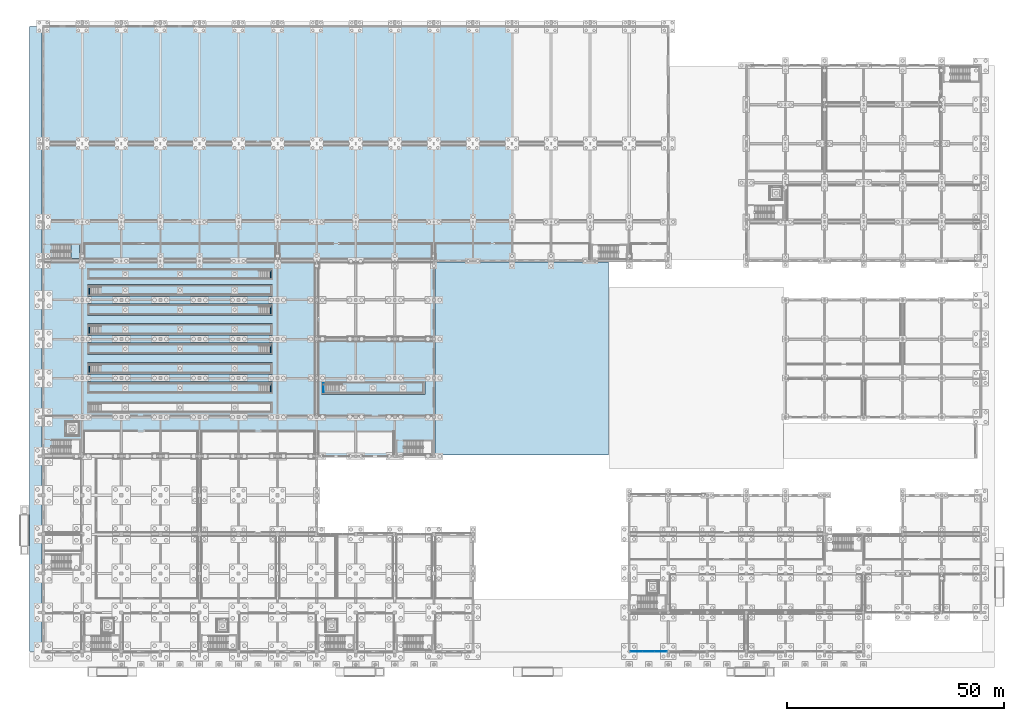
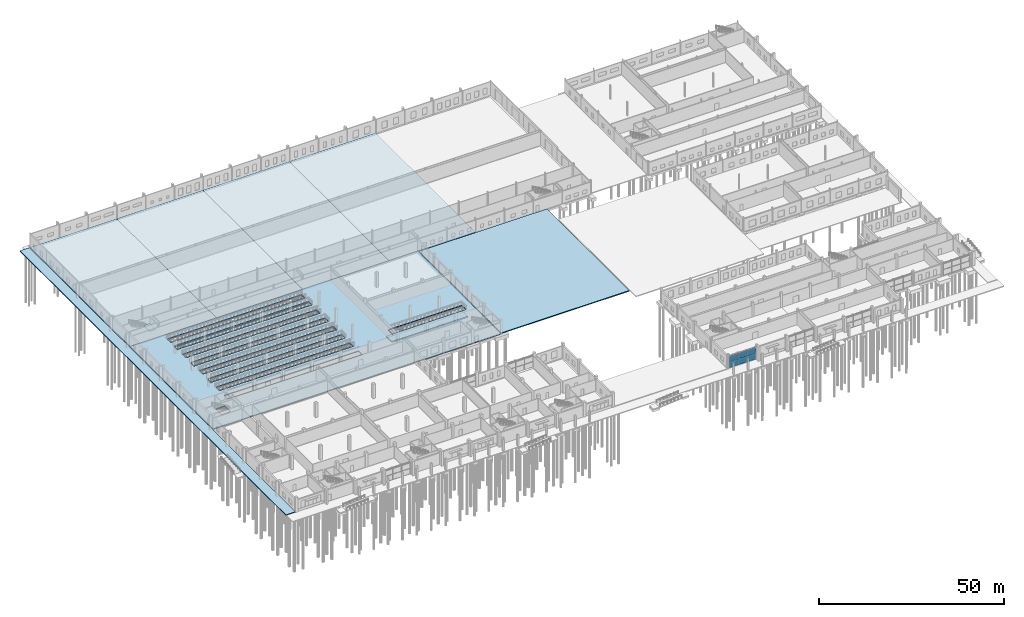
# One storey, part 59 of 112: 24 slabs, 6 plates, 2 elements without a shape of their own.
"""IFC4 building model written with IfcOpenShell, lengths in metres."""

from ifc_helpers import new_model, si_unit, direction, frame, origin, origin_2d, place, context, subcontext, project, spatial, polyline, rectangle, outline, extrude, material, layer, layer_set, type_object, element, aggregate, save


model = new_model("IFC4")

# Units and contexts
model_context = context("Model", 3, precision=1e-05, world=origin(), true_north=direction((0.0, 1.0)))
body_context = subcontext(model_context, "Body", "Model", "MODEL_VIEW")
ifc_project = project(units=[si_unit("LENGTHUNIT", "METRE"), si_unit("AREAUNIT", "SQUARE_METRE"), si_unit("VOLUMEUNIT", "CUBIC_METRE"), si_unit("PLANEANGLEUNIT", "RADIAN"), si_unit("MASSUNIT", "GRAM", prefix="KILO")], contexts=[model_context])

# Site, building, storey
site_placement = place(None, origin())
site = spatial("IfcSite", under=ifc_project, at=site_placement, CompositionType="ELEMENT")
building_placement = place(site_placement, origin())
building = spatial("IfcBuilding", under=site, at=building_placement, Name="Tharagai Park Tramway Depot", CompositionType="ELEMENT")
storey_placement = place(building_placement, origin())
storey = spatial("IfcBuildingStorey", under=building, at=storey_placement, Name="L00", CompositionType="ELEMENT", Elevation=0.0)

# Curtain wall, plates
ifc_material_1 = material(Name="Anodised aluminium", Category="aluminium")
curtain_wall_type = type_object("IfcCurtainWallType", Name="CW-05", PredefinedType="NOTDEFINED", material=ifc_material_1)
curtain_wall_placement = place(storey_placement, origin())
curtain_wall = element("IfcCurtainWall", 1, at=curtain_wall_placement, inside=storey, type_object=curtain_wall_type, Name="L00 V5 Gothic Mullioned Curtain Wall CW-05", PredefinedType="NOTDEFINED")
ifc_material_2 = material(Name="Laminated solar-control glass", Category="glass")
ifc_layer_1 = layer(ifc_material_2, 0.028076171875)
ifc_layer_set_1 = layer_set([ifc_layer_1], Name="Laminated solar-control glass")
plate_type = type_object("IfcPlateType", Name="CP-02", PredefinedType="CURTAIN_PANEL", material=ifc_layer_set_1)
plate_1_placement = place(storey_placement, frame((136.7265625, 0.0, 0.080078125), z_axis=(0.0, 0.0, 1.0), x_axis=(1.0, 0.0, 0.0)))
plate_1 = element("IfcPlate", 2, at=plate_1_placement, type_object=plate_type, Name="L00 V5 Gothic Mullioned Curtain Wall Glazed Panel 1.1", PredefinedType="CURTAIN_PANEL", context=body_context, shape_type="SweptSolid", body=[
    extrude(rectangle(XDim=2.75341796875, YDim=0.028076171875, at=origin_2d()), origin(), (0.0, 0.0, 1.0), 1.885009765625),
])
plate_2_placement = place(storey_placement, frame((136.7265625, 0.0, 2.0048828125), z_axis=(0.0, 0.0, 1.0), x_axis=(1.0, 0.0, 0.0)))
plate_2 = element("IfcPlate", 3, at=plate_2_placement, type_object=plate_type, Name="L00 V5 Gothic Mullioned Curtain Wall Glazed Panel 1.2", PredefinedType="CURTAIN_PANEL", context=body_context, shape_type="SweptSolid", body=[
    extrude(rectangle(XDim=2.75341796875, YDim=0.028076171875, at=origin_2d()), origin(), (0.0, 0.0, 1.0), 1.864990234375),
])
plate_3_placement = place(storey_placement, frame((139.5, 0.0, 0.080078125), z_axis=(0.0, 0.0, 1.0), x_axis=(1.0, 0.0, 0.0)))
plate_3 = element("IfcPlate", 4, at=plate_3_placement, type_object=plate_type, Name="L00 V5 Gothic Mullioned Curtain Wall Glazed Panel 2.1", PredefinedType="CURTAIN_PANEL", context=body_context, shape_type="SweptSolid", body=[
    extrude(rectangle(XDim=2.75341796875, YDim=0.028076171875, at=origin_2d()), origin(), (0.0, 0.0, 1.0), 1.885009765625),
])
plate_4_placement = place(storey_placement, frame((139.5, 0.0, 2.0048828125), z_axis=(0.0, 0.0, 1.0), x_axis=(1.0, 0.0, 0.0)))
plate_4 = element("IfcPlate", 5, at=plate_4_placement, type_object=plate_type, Name="L00 V5 Gothic Mullioned Curtain Wall Glazed Panel 2.2", PredefinedType="CURTAIN_PANEL", context=body_context, shape_type="SweptSolid", body=[
    extrude(rectangle(XDim=2.75341796875, YDim=0.028076171875, at=origin_2d()), origin(), (0.0, 0.0, 1.0), 1.864990234375),
])
plate_5_placement = place(storey_placement, frame((142.2734375, 0.0, 0.080078125), z_axis=(0.0, 0.0, 1.0), x_axis=(1.0, 0.0, 0.0)))
plate_5 = element("IfcPlate", 6, at=plate_5_placement, type_object=plate_type, Name="L00 V5 Gothic Mullioned Curtain Wall Glazed Panel 3.1", PredefinedType="CURTAIN_PANEL", context=body_context, shape_type="SweptSolid", body=[
    extrude(rectangle(XDim=2.75341796875, YDim=0.028076171875, at=origin_2d()), origin(), (0.0, 0.0, 1.0), 1.885009765625),
])
plate_6_placement = place(storey_placement, frame((142.2734375, 0.0, 2.0048828125), z_axis=(0.0, 0.0, 1.0), x_axis=(1.0, 0.0, 0.0)))
plate_6 = element("IfcPlate", 7, at=plate_6_placement, type_object=plate_type, Name="L00 V5 Gothic Mullioned Curtain Wall Glazed Panel 3.2", PredefinedType="CURTAIN_PANEL", context=body_context, shape_type="SweptSolid", body=[
    extrude(rectangle(XDim=2.75341796875, YDim=0.028076171875, at=origin_2d()), origin(), (0.0, 0.0, 1.0), 1.864990234375),
])
aggregate(curtain_wall, [plate_1, plate_2, plate_3, plate_4, plate_5, plate_6])

# Stair, slab
ifc_material_3 = material(Name="Concrete M35", Category="concrete")
stair_type = type_object("IfcStairType", Name="STT-02", PredefinedType="HALF_TURN_STAIR", material=ifc_material_3)
stair_placement = place(storey_placement, origin())
stair = element("IfcStair", 8, at=stair_placement, inside=storey, type_object=stair_type, Name="L00 Protected Exit Stair ST-10", PredefinedType="HALF_TURN_STAIR")
ifc_layer_2 = layer(ifc_material_3, 0.199951171875)
ifc_layer_set_2 = layer_set([ifc_layer_2], Name="Concrete M35")
slab_type_1 = type_object("IfcSlabType", Name="LN-01", PredefinedType="LANDING", material=ifc_layer_set_2)
slab_1_placement = place(storey_placement, frame((0.0, 0.0, 2.199951171875)))
slab_1 = element("IfcSlab", 9, at=slab_1_placement, type_object=slab_type_1, Name="ST-10 landing 1", PredefinedType="LANDING", context=body_context, shape_type="SweptSolid", body=[
    extrude(outline(polyline([(6.419921875, 90.550048828125), (8.360107421875, 90.550048828125), (8.360107421875, 93.739990234375), (6.419921875, 93.739990234375), (6.419921875, 90.550048828125)])), origin(), (0.0, 0.0, 1.0), 0.199951171875),
])
aggregate(stair, [slab_1])

# Slabs
ifc_material_4 = material(Name="Concrete M40", Category="concrete")
ifc_layer_3 = layer(ifc_material_4, 0.35009765625)
ifc_layer_set_3 = layer_set([ifc_layer_3], Name="Concrete M40")
slab_type_2 = type_object("IfcSlabType", Name="SB-02", PredefinedType="BASESLAB", material=ifc_layer_set_3)
slab_2_placement = place(storey_placement, frame((0.0, 0.0, -1.85009765625)))
element("IfcSlab", 10, at=slab_2_placement, inside=storey, type_object=slab_type_2, Name="Inspection Pit Track 2 Base Slab", PredefinedType="BASESLAB", context=body_context, shape_type="SweptSolid", body=[
    extrude(outline(polyline([(10.14990234375, 59.449951171875), (52.85009765625, 59.449951171875), (52.85009765625, 62.050048828125), (10.14990234375, 62.050048828125), (10.14990234375, 59.449951171875)])), origin(), (0.0, 0.0, 1.0), 0.35009765625),
])
slab_3_placement = place(storey_placement, frame((0.0, 0.0, -1.85009765625)))
element("IfcSlab", 11, at=slab_3_placement, inside=storey, type_object=slab_type_2, Name="Inspection Pit Track 3 Base Slab", PredefinedType="BASESLAB", context=body_context, shape_type="SweptSolid", body=[
    extrude(outline(polyline([(10.14990234375, 63.949951171875), (52.85009765625, 63.949951171875), (52.85009765625, 66.550048828125), (10.14990234375, 66.550048828125), (10.14990234375, 63.949951171875)])), origin(), (0.0, 0.0, 1.0), 0.35009765625),
])
slab_4_placement = place(storey_placement, frame((0.0, 0.0, -1.85009765625)))
element("IfcSlab", 12, at=slab_4_placement, inside=storey, type_object=slab_type_2, Name="Inspection Pit Track 4 Base Slab", PredefinedType="BASESLAB", context=body_context, shape_type="SweptSolid", body=[
    extrude(outline(polyline([(10.14990234375, 68.449951171875), (52.85009765625, 68.449951171875), (52.85009765625, 71.050048828125), (10.14990234375, 71.050048828125), (10.14990234375, 68.449951171875)])), origin(), (0.0, 0.0, 1.0), 0.35009765625),
])
slab_5_placement = place(storey_placement, frame((0.0, 0.0, -1.85009765625)))
element("IfcSlab", 13, at=slab_5_placement, inside=storey, type_object=slab_type_2, Name="Inspection Pit Track 5 Base Slab", PredefinedType="BASESLAB", context=body_context, shape_type="SweptSolid", body=[
    extrude(outline(polyline([(10.14990234375, 72.949951171875), (52.85009765625, 72.949951171875), (52.85009765625, 75.550048828125), (10.14990234375, 75.550048828125), (10.14990234375, 72.949951171875)])), origin(), (0.0, 0.0, 1.0), 0.35009765625),
])
slab_6_placement = place(storey_placement, frame((0.0, 0.0, -1.85009765625)))
element("IfcSlab", 14, at=slab_6_placement, inside=storey, type_object=slab_type_2, Name="Inspection Pit Track 6 Base Slab", PredefinedType="BASESLAB", context=body_context, shape_type="SweptSolid", body=[
    extrude(outline(polyline([(10.14990234375, 77.449951171875), (52.85009765625, 77.449951171875), (52.85009765625, 80.050048828125), (10.14990234375, 80.050048828125), (10.14990234375, 77.449951171875)])), origin(), (0.0, 0.0, 1.0), 0.35009765625),
])
slab_7_placement = place(storey_placement, frame((0.0, 0.0, -1.85009765625)))
element("IfcSlab", 15, at=slab_7_placement, inside=storey, type_object=slab_type_2, Name="Inspection Pit Track 7 Base Slab", PredefinedType="BASESLAB", context=body_context, shape_type="SweptSolid", body=[
    extrude(outline(polyline([(10.14990234375, 81.949951171875), (52.85009765625, 81.949951171875), (52.85009765625, 84.550048828125), (10.14990234375, 84.550048828125), (10.14990234375, 81.949951171875)])), origin(), (0.0, 0.0, 1.0), 0.35009765625),
])
slab_8_placement = place(storey_placement, frame((0.0, 0.0, -1.85009765625)))
element("IfcSlab", 16, at=slab_8_placement, inside=storey, type_object=slab_type_2, Name="Inspection Pit Track 8 Base Slab", PredefinedType="BASESLAB", context=body_context, shape_type="SweptSolid", body=[
    extrude(outline(polyline([(10.14990234375, 85.699951171875), (52.85009765625, 85.699951171875), (52.85009765625, 88.300048828125), (10.14990234375, 88.300048828125), (10.14990234375, 85.699951171875)])), origin(), (0.0, 0.0, 1.0), 0.35009765625),
])
ifc_layer_4 = layer(ifc_material_3, 0.31005859375)
ifc_layer_set_4 = layer_set([ifc_layer_4], Name="Concrete M35")
slab_type_3 = type_object("IfcSlabType", Name="SB-04", PredefinedType="BASESLAB", material=ifc_layer_set_4)
slab_9_placement = place(storey_placement, frame((0.0, 0.0, -0.31005859375)))
element("IfcSlab", 17, at=slab_9_placement, inside=storey, type_object=slab_type_3, Name="Maintenance Portal Track Fan Concrete Apron", PredefinedType="BASESLAB", context=body_context, shape_type="SweptSolid", body=[
    extrude(outline(polyline([(90.239990234375, 45.239990234375), (130.260009765625, 45.239990234375), (130.260009765625, 89.760009765625), (90.239990234375, 89.760009765625), (90.239990234375, 45.239990234375)])), origin(), (0.0, 0.0, 1.0), 0.31005859375),
])
slab_10_placement = place(storey_placement, frame((0.0, 0.0, -0.31005859375)))
element("IfcSlab", 18, at=slab_10_placement, inside=storey, type_object=slab_type_3, Name="West Perimeter Service Plinth Apron", PredefinedType="BASESLAB", context=body_context, shape_type="SweptSolid", body=[
    extrude(outline(polyline([(-3.199951171875, 0.0), (-0.239990234375, 0.0), (-0.239990234375, 144.0), (-3.199951171875, 144.0), (-3.199951171875, 0.0)])), origin(), (0.0, 0.0, 1.0), 0.31005859375),
])
ifc_layer_5 = layer(ifc_material_3, 0.300048828125)
ifc_layer_set_5 = layer_set([ifc_layer_5], Name="Concrete M35")
slab_type_4 = type_object("IfcSlabType", Name="SB-05", PredefinedType="BASESLAB", material=ifc_layer_set_5)
slab_11_placement = place(storey_placement, frame((0.0, 0.0, -0.300048828125)))
element("IfcSlab", 19, at=slab_11_placement, inside=storey, type_object=slab_type_4, Name="L00 V1 Ground Slab Bay 1", PredefinedType="BASESLAB", context=body_context, shape_type="SweptSolid", body=[
    extrude(outline(polyline([(0.0, 90.0), (27.0, 90.0), (27.0, 144.0), (0.0, 144.0), (0.0, 90.0)])), origin(), (0.0, 0.0, 1.0), 0.300048828125),
])
slab_12_placement = place(storey_placement, frame((0.0, 0.0, -0.300048828125)))
element("IfcSlab", 20, at=slab_12_placement, inside=storey, type_object=slab_type_4, Name="L00 V1 Ground Slab Bay 2", PredefinedType="BASESLAB", context=body_context, shape_type="SweptSolid", body=[
    extrude(outline(polyline([(27.0, 90.0), (54.0, 90.0), (54.0, 144.0), (27.0, 144.0), (27.0, 90.0)])), origin(), (0.0, 0.0, 1.0), 0.300048828125),
])
slab_13_placement = place(storey_placement, frame((0.0, 0.0, -0.300048828125)))
element("IfcSlab", 21, at=slab_13_placement, inside=storey, type_object=slab_type_4, Name="L00 V1 Ground Slab Bay 3", PredefinedType="BASESLAB", context=body_context, shape_type="SweptSolid", body=[
    extrude(outline(polyline([(54.0, 90.0), (81.0, 90.0), (81.0, 144.0), (54.0, 144.0), (54.0, 90.0)])), origin(), (0.0, 0.0, 1.0), 0.300048828125),
])
slab_14_placement = place(storey_placement, frame((0.0, 0.0, -0.300048828125)))
element("IfcSlab", 22, at=slab_14_placement, inside=storey, type_object=slab_type_4, Name="L00 V1 Ground Slab Bay 4", PredefinedType="BASESLAB", context=body_context, shape_type="SweptSolid", body=[
    extrude(outline(polyline([(81.0, 90.0), (108.0, 90.0), (108.0, 144.0), (81.0, 144.0), (81.0, 90.0)])), origin(), (0.0, 0.0, 1.0), 0.300048828125),
])
slab_15_placement = place(storey_placement, frame((0.0, 0.0, -0.300048828125)))
element("IfcSlab", 23, at=slab_15_placement, inside=storey, type_object=slab_type_4, Name="L00 V2 Maintenance Track Base Slab", PredefinedType="BASESLAB", context=body_context, shape_type="SweptSolid", body=[
    extrude(outline(polyline([(0.0, 45.0), (90.0, 45.0), (90.0, 90.0), (0.0, 90.0), (0.0, 45.0)]), holes=[polyline([(10.5, 55.300048828125), (52.5, 55.300048828125), (52.5, 57.199951171875), (10.5, 57.199951171875), (10.5, 55.300048828125)]), polyline([(10.5, 59.800048828125), (52.5, 59.800048828125), (52.5, 61.699951171875), (10.5, 61.699951171875), (10.5, 59.800048828125)]), polyline([(10.5, 64.300048828125), (52.5, 64.300048828125), (52.5, 66.199951171875), (10.5, 66.199951171875), (10.5, 64.300048828125)]), polyline([(10.5, 68.800048828125), (52.5, 68.800048828125), (52.5, 70.699951171875), (10.5, 70.699951171875), (10.5, 68.800048828125)]), polyline([(10.5, 73.300048828125), (52.5, 73.300048828125), (52.5, 75.199951171875), (10.5, 75.199951171875), (10.5, 73.300048828125)]), polyline([(10.5, 77.800048828125), (52.5, 77.800048828125), (52.5, 79.699951171875), (10.5, 79.699951171875), (10.5, 77.800048828125)]), polyline([(10.5, 82.300048828125), (52.5, 82.300048828125), (52.5, 84.199951171875), (10.5, 84.199951171875), (10.5, 82.300048828125)]), polyline([(10.5, 86.050048828125), (52.5, 86.050048828125), (52.5, 87.949951171875), (10.5, 87.949951171875), (10.5, 86.050048828125)]), polyline([(64.5, 59.64990234375), (87.5, 59.64990234375), (87.5, 61.85009765625), (64.5, 61.85009765625), (64.5, 59.64990234375)]), polyline([(5.300048828125, 49.800048828125), (8.199951171875, 49.800048828125), (8.199951171875, 52.800048828125), (5.300048828125, 52.800048828125), (5.300048828125, 49.800048828125)])]), origin(), (0.0, 0.0, 1.0), 0.300048828125),
])
ifc_layer_6 = layer(ifc_material_4, 0.219970703125)
ifc_layer_set_6 = layer_set([ifc_layer_6], Name="Concrete M40")
slab_type_5 = type_object("IfcSlabType", Name="SB-09", PredefinedType="BASESLAB", material=ifc_layer_set_6)
slab_16_placement = place(storey_placement, frame((0.0, 0.0, -0.385009765625)))
element("IfcSlab", 24, at=slab_16_placement, inside=storey, type_object=slab_type_5, Name="Inspection Pit Track 2 Stair Head Corbel Slab", PredefinedType="BASESLAB", context=body_context, shape_type="SweptSolid", body=[
    extrude(outline(polyline([(52.320068359375, 59.85009765625), (52.5, 59.85009765625), (52.5, 61.64990234375), (52.320068359375, 61.64990234375), (52.320068359375, 59.85009765625)])), origin(), (0.0, 0.0, 1.0), 0.219970703125),
])
slab_17_placement = place(storey_placement, frame((0.0, 0.0, -0.385009765625)))
element("IfcSlab", 25, at=slab_17_placement, inside=storey, type_object=slab_type_5, Name="Inspection Pit Track 3 Stair Head Corbel Slab", PredefinedType="BASESLAB", context=body_context, shape_type="SweptSolid", body=[
    extrude(outline(polyline([(10.5, 64.35009765625), (10.679931640625, 64.35009765625), (10.679931640625, 66.14990234375), (10.5, 66.14990234375), (10.5, 64.35009765625)])), origin(), (0.0, 0.0, 1.0), 0.219970703125),
])
slab_18_placement = place(storey_placement, frame((0.0, 0.0, -0.385009765625)))
element("IfcSlab", 26, at=slab_18_placement, inside=storey, type_object=slab_type_5, Name="Inspection Pit Track 4 Stair Head Corbel Slab", PredefinedType="BASESLAB", context=body_context, shape_type="SweptSolid", body=[
    extrude(outline(polyline([(52.320068359375, 68.85009765625), (52.5, 68.85009765625), (52.5, 70.64990234375), (52.320068359375, 70.64990234375), (52.320068359375, 68.85009765625)])), origin(), (0.0, 0.0, 1.0), 0.219970703125),
])
slab_19_placement = place(storey_placement, frame((0.0, 0.0, -0.385009765625)))
element("IfcSlab", 27, at=slab_19_placement, inside=storey, type_object=slab_type_5, Name="Inspection Pit Track 5 Stair Head Corbel Slab", PredefinedType="BASESLAB", context=body_context, shape_type="SweptSolid", body=[
    extrude(outline(polyline([(10.5, 73.35009765625), (10.679931640625, 73.35009765625), (10.679931640625, 75.14990234375), (10.5, 75.14990234375), (10.5, 73.35009765625)])), origin(), (0.0, 0.0, 1.0), 0.219970703125),
])
slab_20_placement = place(storey_placement, frame((0.0, 0.0, -0.385009765625)))
element("IfcSlab", 28, at=slab_20_placement, inside=storey, type_object=slab_type_5, Name="Inspection Pit Track 6 Stair Head Corbel Slab", PredefinedType="BASESLAB", context=body_context, shape_type="SweptSolid", body=[
    extrude(outline(polyline([(52.320068359375, 77.85009765625), (52.5, 77.85009765625), (52.5, 79.64990234375), (52.320068359375, 79.64990234375), (52.320068359375, 77.85009765625)])), origin(), (0.0, 0.0, 1.0), 0.219970703125),
])
slab_21_placement = place(storey_placement, frame((0.0, 0.0, -0.385009765625)))
element("IfcSlab", 29, at=slab_21_placement, inside=storey, type_object=slab_type_5, Name="Inspection Pit Track 7 Stair Head Corbel Slab", PredefinedType="BASESLAB", context=body_context, shape_type="SweptSolid", body=[
    extrude(outline(polyline([(10.5, 82.35009765625), (10.679931640625, 82.35009765625), (10.679931640625, 84.14990234375), (10.5, 84.14990234375), (10.5, 82.35009765625)])), origin(), (0.0, 0.0, 1.0), 0.219970703125),
])
slab_22_placement = place(storey_placement, frame((0.0, 0.0, -0.385009765625)))
element("IfcSlab", 30, at=slab_22_placement, inside=storey, type_object=slab_type_5, Name="Inspection Pit Track 8 Stair Head Corbel Slab", PredefinedType="BASESLAB", context=body_context, shape_type="SweptSolid", body=[
    extrude(outline(polyline([(52.320068359375, 86.10009765625), (52.5, 86.10009765625), (52.5, 87.89990234375), (52.320068359375, 87.89990234375), (52.320068359375, 86.10009765625)])), origin(), (0.0, 0.0, 1.0), 0.219970703125),
])
slab_23_placement = place(storey_placement, frame((0.0, 0.0, -0.385009765625)))
element("IfcSlab", 31, at=slab_23_placement, inside=storey, type_object=slab_type_5, Name="Underfloor Wheel-Lathe Pit Stair Head Corbel Slab", PredefinedType="BASESLAB", context=body_context, shape_type="SweptSolid", body=[
    extrude(outline(polyline([(64.5, 59.699951171875), (64.679931640625, 59.699951171875), (64.679931640625, 61.800048828125), (64.5, 61.800048828125), (64.5, 59.699951171875)])), origin(), (0.0, 0.0, 1.0), 0.219970703125),
])
ifc_layer_7 = layer(ifc_material_4, 0.39990234375)
ifc_layer_set_7 = layer_set([ifc_layer_7], Name="Concrete M40")
slab_type_6 = type_object("IfcSlabType", Name="SB-11", PredefinedType="BASESLAB", material=ifc_layer_set_7)
slab_24_placement = place(storey_placement, frame((0.0, 0.0, -2.60009765625)))
element("IfcSlab", 32, at=slab_24_placement, inside=storey, type_object=slab_type_6, Name="Underfloor Wheel-Lathe Pit Base Slab", PredefinedType="BASESLAB", context=body_context, shape_type="SweptSolid", body=[
    extrude(outline(polyline([(64.10009765625, 59.25), (87.89990234375, 59.25), (87.89990234375, 62.25), (64.10009765625, 62.25), (64.10009765625, 59.25)])), origin(), (0.0, 0.0, 1.0), 0.400146484375),
])

save(model, "model.ifc")
